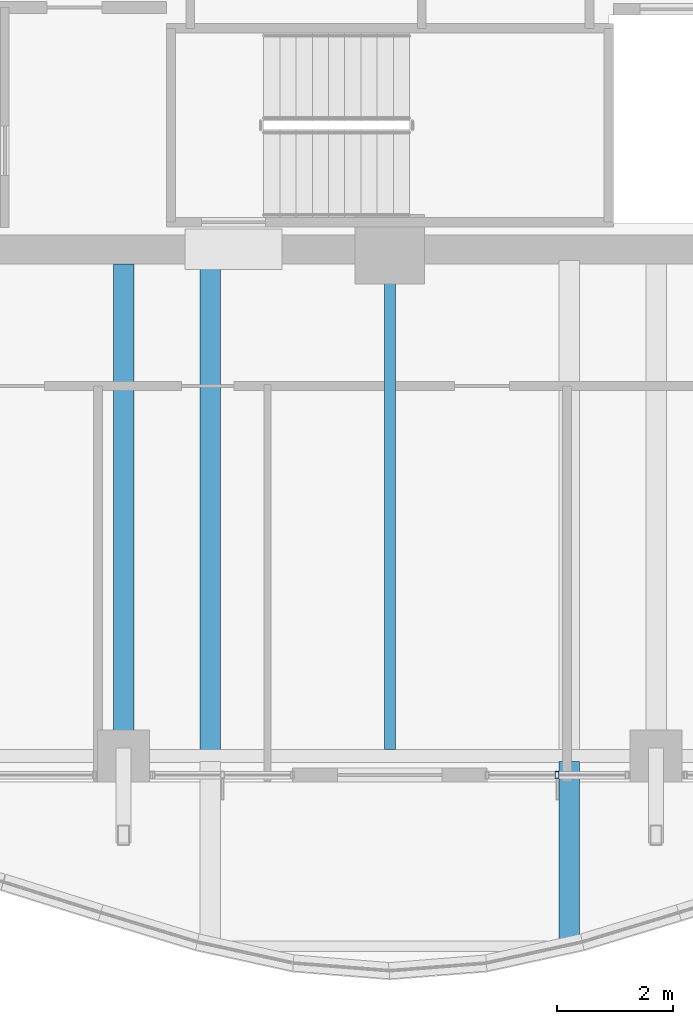
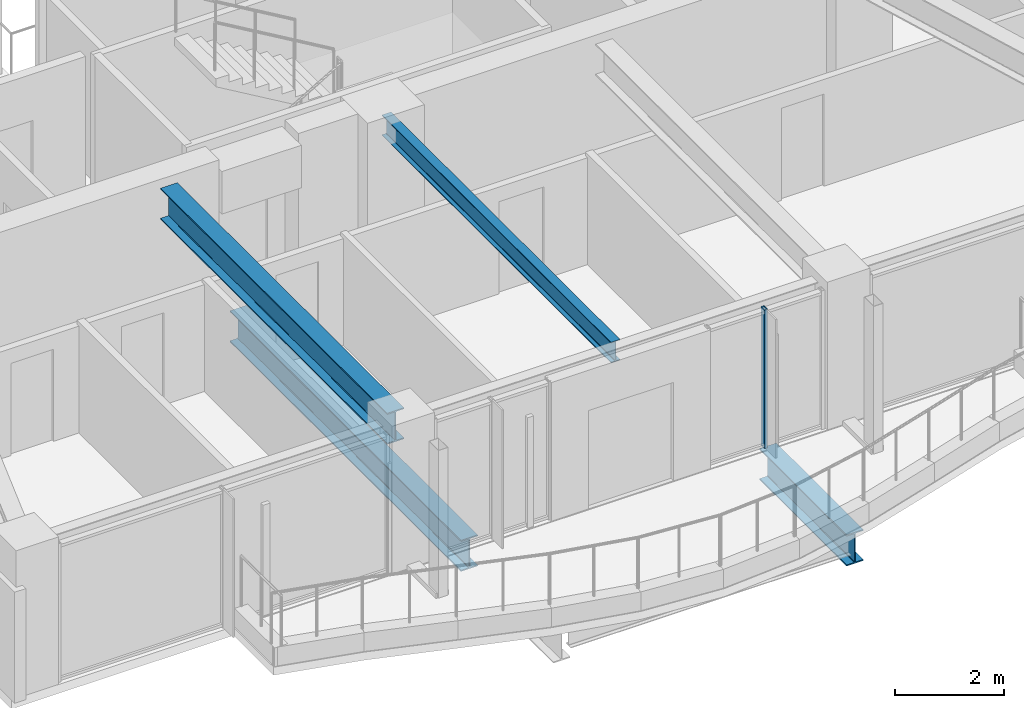
# One storey, part 5 of 34: 4 beams, 1 member, 1 element without a shape of its own.
"""IFC4 building model written with IfcOpenShell, lengths in metres."""

import ifcopenshell
import ifcopenshell.guid

model = None  # the IFC model being written
_history = None  # IfcOwnerHistory: only IFC2X3 demands one
_inside = {}  # id of a spatial element -> (the spatial element, [elements in it])
_under = {}  # id of a project, library or spatial element -> (it, [spatial elements below it])
_declared = {}  # id of a project -> (the project, [libraries it declares])
_typed = {}  # id of a type object -> (the type object, [elements of that type])
_made_of = {}  # id of a material, layer set ... -> (it, [elements and type objects made of it])


def new_model(schema):
    """Start an empty IFC model of exactly this schema.

    Asked for "IFC4X3", IfcOpenShell would pick the latest addendum, in which some entities
    have other attributes; the version numbers below select the first issue.
    IFC2X3 requires an IfcOwnerHistory on every rooted entity: one is made here for all.
    """
    global model, _history
    if schema == "IFC4X3":
        model = ifcopenshell.file(schema_version=(4, 3, 0, 0))
    else:
        model = ifcopenshell.file(schema=schema)
    _inside.clear()
    _under.clear()
    _declared.clear()
    _typed.clear()
    _made_of.clear()
    _history = None
    if model.schema == "IFC2X3":
        org = make("IfcOrganization", Name="unknown")
        user = make(
            "IfcPersonAndOrganization",
            ThePerson=make("IfcPerson", FamilyName="unknown"),
            TheOrganization=org,
        )
        app = make(
            "IfcApplication",
            ApplicationDeveloper=org,
            Version="unknown",
            ApplicationFullName="unknown",
            ApplicationIdentifier="unknown",
        )
        _history = make(
            "IfcOwnerHistory",
            OwningUser=user,
            OwningApplication=app,
            ChangeAction="ADDED",
            CreationDate=0,
        )
    return model


def make(cls, **values):
    """One entity of the class cls with the attributes given. An attribute that is None is left unset."""
    return model.create_entity(
        cls, **{name: value for name, value in values.items() if value is not None}
    )


def rooted(cls, **values):
    """An entity with a GlobalId (a new one), such as an element, a storey or a relation."""
    return make(cls, GlobalId=ifcopenshell.guid.new(), OwnerHistory=_history, **values)


def si_unit(unit_type, name, prefix=None):
    """IfcSIUnit, for example si_unit("LENGTHUNIT", "METRE", prefix="MILLI")."""
    return make("IfcSIUnit", UnitType=unit_type, Prefix=prefix, Name=name)


def assignment(units):
    """IfcUnitAssignment: the units of a project."""
    return None if units is None else make("IfcUnitAssignment", Units=units)


def point(xyz):
    """IfcCartesianPoint."""
    return None if xyz is None else make("IfcCartesianPoint", Coordinates=xyz)


def direction(xyz):
    """IfcDirection."""
    return None if xyz is None else make("IfcDirection", DirectionRatios=xyz)


def frame(location, z_axis=None, x_axis=None):
    """IfcAxis2Placement3D, a coordinate frame: its origin and axes. An axis left out is left unset."""
    return make(
        "IfcAxis2Placement3D",
        Location=point(location),
        Axis=direction(z_axis),
        RefDirection=direction(x_axis),
    )


def frame_2d(location, x_axis=None):
    """IfcAxis2Placement2D, a coordinate frame in the plane: its origin and x axis."""
    return make(
        "IfcAxis2Placement2D", Location=point(location), RefDirection=direction(x_axis)
    )


def origin():
    """The frame at (0, 0, 0) with its axes left unset."""
    return frame((0.0, 0.0, 0.0))


def origin_2d():
    """The frame at (0, 0) in the plane with its x axis left unset."""
    return frame_2d((0.0, 0.0))


def place(relative_to, where):
    """IfcLocalPlacement: puts the frame where relative to a parent placement (None: the world)."""
    return make(
        "IfcLocalPlacement", PlacementRelTo=relative_to, RelativePlacement=where
    )


def context(
    kind, dimensions, precision=None, world=None, true_north=None, identifier=None
):
    """IfcGeometricRepresentationContext, for example the 3D "Model" context."""
    return make(
        "IfcGeometricRepresentationContext",
        ContextIdentifier=identifier,
        ContextType=kind,
        CoordinateSpaceDimension=dimensions,
        Precision=precision,
        WorldCoordinateSystem=world,
        TrueNorth=true_north,
    )


def subcontext(parent, identifier, kind, view, scale=None):
    """IfcGeometricRepresentationSubContext, for example "Body" below "Model"."""
    return make(
        "IfcGeometricRepresentationSubContext",
        ContextIdentifier=identifier,
        ContextType=kind,
        ParentContext=parent,
        TargetScale=scale,
        TargetView=view,
    )


def project(units=None, contexts=None):
    """IfcProject with its units and contexts."""
    return rooted(
        "IfcProject",
        Name="project",
        RepresentationContexts=contexts,
        UnitsInContext=assignment(units),
    )


def spatial(cls, under=None, at=None, **own):
    """A site, building, storey or space (cls), placed at a placement, below another one or the project."""
    s = rooted(cls, ObjectPlacement=at, **own)
    if under is not None:
        _under.setdefault(under.id(), (under, []))[1].append(s)
    return s


def profile(cls, at=None, kind="AREA", **sizes):
    """A parametric profile (cls). Its sizes go by their IFC names, for example OverallWidth=200.0."""
    return make(cls, ProfileType=kind, Position=at, **sizes)


def hollow_rectangle(**sizes):
    """IfcRectangleHollowProfileDef."""
    return profile("IfcRectangleHollowProfileDef", **sizes)


def i_section(**sizes):
    """IfcIShapeProfileDef."""
    return profile("IfcIShapeProfileDef", **sizes)


def extrude(swept, where, along, depth):
    """IfcExtrudedAreaSolid: the profile swept, set in the frame where, extruded along a direction by depth."""
    return make(
        "IfcExtrudedAreaSolid",
        SweptArea=swept,
        Position=where,
        ExtrudedDirection=direction(along),
        Depth=depth,
    )


def shape(context_of_items, identifier, shape_type, items):
    """IfcShapeRepresentation: the items that make up one representation, for example the "Body"."""
    return make(
        "IfcShapeRepresentation",
        ContextOfItems=context_of_items,
        RepresentationIdentifier=identifier,
        RepresentationType=shape_type,
        Items=items,
    )


def material(Name=None, Category=None):
    """IfcMaterial."""
    return make("IfcMaterial", Name=Name, Category=Category)


def material_profile(
    of_material, cross_section, Name=None, Category=None, Priority=None
):
    """IfcMaterialProfile: a cross section and its material."""
    return make(
        "IfcMaterialProfile",
        Name=Name,
        Material=of_material,
        Profile=cross_section,
        Priority=Priority,
        Category=Category,
    )


def profile_set(profiles, Name=None, composite=None):
    """IfcMaterialProfileSet."""
    return make(
        "IfcMaterialProfileSet",
        Name=Name,
        MaterialProfiles=profiles,
        CompositeProfile=composite,
    )


def made_of(thing, what):
    """Note that an element or type object is made of a material, layer set ...; save() writes the relation."""
    if what is not None:
        _made_of.setdefault(what.id(), (what, []))[1].append(thing)
    return thing


def type_object(cls, material=None, **own):
    """A type object (cls), such as IfcWallType, which elements share."""
    return made_of(rooted(cls, **own), material)


def element(
    cls,
    number,
    at=None,
    inside=None,
    cuts=None,
    type_object=None,
    material=None,
    context=None,
    identifier="Body",
    shape_type=None,
    held_by="IfcProductDefinitionShape",
    body=None,
    shapes=None,
    **own,
):
    """One element of the class cls, such as IfcWall. Its Tag is "e" and its number.

    at: its placement. inside: the storey or other place that contains it. cuts: it is an
    opening in that element (IfcRelVoidsElement). A single representation is given by context,
    identifier, shape_type and body (its items); several are given by shapes. held_by: the class
    of the entity that holds the representations. save() writes the other relations.
    """
    e = rooted(cls, Tag="e%d" % number, ObjectPlacement=at, **own)
    if body is not None:
        shapes = [shape(context, identifier, shape_type, body)]
    if shapes is not None:
        e.Representation = make(held_by, Representations=shapes)
    if inside is not None:
        _inside.setdefault(inside.id(), (inside, []))[1].append(e)
    if cuts is not None:
        rooted(
            "IfcRelVoidsElement", RelatingBuildingElement=cuts, RelatedOpeningElement=e
        )
    if type_object is not None:
        _typed.setdefault(type_object.id(), (type_object, []))[1].append(e)
    return made_of(e, material)


def aggregate(whole, parts):
    """IfcRelAggregates: a whole, such as a stair, and the parts it consists of."""
    return rooted("IfcRelAggregates", RelatingObject=whole, RelatedObjects=parts)


def save(model, path):
    """Write the relations noted so far, then the file.

    IfcRelAggregates (storeys below a building ...), IfcRelContainedInSpatialStructure (elements
    in a storey), IfcRelDefinesByType, IfcRelAssociatesMaterial and IfcRelDeclares: one each for
    every whole, place, type object, material and project.
    """
    for whole, parts in _under.values():
        aggregate(whole, parts)
    for where, things in _inside.values():
        rooted(
            "IfcRelContainedInSpatialStructure",
            RelatedElements=things,
            RelatingStructure=where,
        )
    for kind, things in _typed.values():
        rooted("IfcRelDefinesByType", RelatedObjects=things, RelatingType=kind)
    for what, things in _made_of.values():
        rooted("IfcRelAssociatesMaterial", RelatedObjects=things, RelatingMaterial=what)
    for by, libraries in _declared.values():
        rooted("IfcRelDeclares", RelatingContext=by, RelatedDefinitions=libraries)
    model.write(path)


model = new_model("IFC4")

# Units and contexts
model_context = context("Model", 3, precision=1e-05, world=origin(), true_north=direction((0.0, 1.0)))
body_context = subcontext(model_context, "Body", "Model", "MODEL_VIEW")
ifc_project = project(units=[si_unit("LENGTHUNIT", "METRE"), si_unit("AREAUNIT", "SQUARE_METRE"), si_unit("VOLUMEUNIT", "CUBIC_METRE"), si_unit("PLANEANGLEUNIT", "RADIAN"), si_unit("MASSUNIT", "GRAM", prefix="KILO")], contexts=[model_context])

# Site, building, storey
site_placement = place(None, origin())
site = spatial("IfcSite", under=ifc_project, at=site_placement, CompositionType="ELEMENT")
building_placement = place(site_placement, origin())
building = spatial("IfcBuilding", under=site, at=building_placement, Name="Kolvaren Belvedere", CompositionType="ELEMENT")
storey_placement = place(building_placement, frame((0.0, 0.0, 166.800048828125)))
storey = spatial("IfcBuildingStorey", under=building, at=storey_placement, Name="L48", CompositionType="ELEMENT", Elevation=166.800048828125)

# Beams
ifc_material_1 = material(Name="Structural steel ASTM A992 Grade 50", Category="steel")
ifc_material_profile_1 = material_profile(ifc_material_1, i_section(OverallWidth=0.35498046875, OverallDepth=0.696044921875, WebThickness=0.015380859375, FlangeThickness=0.02490234375, FilletRadius=0.02197265625, at=origin_2d()), Name="W27X146")
ifc_profile_set_1 = profile_set([ifc_material_profile_1], Name="Structural steel ASTM A992 Grade 50")
beam_type_1 = type_object("IfcBeamType", Name="BM-CANT-BAL", PredefinedType="BEAM", material=ifc_profile_set_1)
beam_1_placement = place(storey_placement, frame((3.10009765625, -18.7451171875, -0.548095703125), z_axis=(0.0, -1.0, 0.0), x_axis=(1.0, 0.0, 0.0)))
element("IfcBeam", 1, at=beam_1_placement, inside=storey, type_object=beam_type_1, Name="L48 Planted Balcony Cantilever BAL-S-2", PredefinedType="BEAM", context=body_context, shape_type="SweptSolid", body=[
    extrude(i_section(OverallWidth=0.35498046875, OverallDepth=0.696044921875, WebThickness=0.015380859375, FlangeThickness=0.02490234375, FilletRadius=0.02197265625, at=origin_2d()), origin(), (0.0, 0.0, 1.0), 3.1904296875),
])
ifc_material_2 = material(Name="Structural steel ASTM A992 Grade 50", Category="steel")
ifc_material_profile_2 = material_profile(ifc_material_2, i_section(OverallWidth=0.35498046875, OverallDepth=0.696044921875, WebThickness=0.015380859375, FlangeThickness=0.02490234375, FilletRadius=0.02197265625, at=origin_2d()), Name="W27X146")
ifc_profile_set_2 = profile_set([ifc_material_profile_2], Name="Structural steel ASTM A992 Grade 50")
beam_type_2 = type_object("IfcBeamType", Name="BM-GIRD-W27X146", PredefinedType="BEAM", material=ifc_profile_set_2)
beam_2_placement = place(storey_placement, frame((-3.10009765625, -10.090087890625, -0.548095703125), z_axis=(0.0, -1.0, 0.0), x_axis=(1.0, 0.0, 0.0)))
element("IfcBeam", 2, at=beam_2_placement, inside=storey, type_object=beam_type_2, Name="L48 Balcony Interior Back-Span Girder BAL-S-1", PredefinedType="BEAM", context=body_context, shape_type="SweptSolid", body=[
    extrude(i_section(OverallWidth=0.35498046875, OverallDepth=0.696044921875, WebThickness=0.015380859375, FlangeThickness=0.02490234375, FilletRadius=0.02197265625, at=origin_2d()), origin(), (0.0, 0.0, 1.0), 8.46484375),
])
beam_3_placement = place(storey_placement, frame((-4.60009765625, -10.14990234375, 2.751953125), z_axis=(0.0, -1.0, 0.0), x_axis=(1.0, 0.0, 0.0)))
element("IfcBeam", 3, at=beam_3_placement, inside=storey, type_object=beam_type_2, Name="L48 South Radial Girder M", PredefinedType="BEAM", context=body_context, shape_type="SweptSolid", body=[
    extrude(i_section(OverallWidth=0.35498046875, OverallDepth=0.696044921875, WebThickness=0.015380859375, FlangeThickness=0.02490234375, FilletRadius=0.02197265625, at=origin_2d()), origin(), (0.0, 0.0, 1.0), 8.297607421875),
])
ifc_material_3 = material(Name="Structural steel ASTM A992 Grade 50", Category="steel")
ifc_material_profile_3 = material_profile(ifc_material_3, i_section(OverallWidth=0.19091796875, OverallDepth=0.4599609375, WebThickness=0.010009765625, FlangeThickness=0.01611328125, FilletRadius=0.014892578125, at=origin_2d()), Name="W18X55")
ifc_profile_set_3 = profile_set([ifc_material_profile_3], Name="Structural steel ASTM A992 Grade 50")
beam_type_3 = type_object("IfcBeamType", Name="BM-JOIST-W18X55", PredefinedType="BEAM", material=ifc_profile_set_3)
beam_4_placement = place(storey_placement, frame((0.0, -10.14990234375, 2.869873046875), z_axis=(0.0, -1.0, 0.0), x_axis=(1.0, 0.0, 0.0)))
element("IfcBeam", 4, at=beam_4_placement, inside=storey, type_object=beam_type_3, Name="L48 South Centre Floor Beam", PredefinedType="BEAM", context=body_context, shape_type="SweptSolid", body=[
    extrude(i_section(OverallWidth=0.19091796875, OverallDepth=0.4599609375, WebThickness=0.010009765625, FlangeThickness=0.01611328125, FilletRadius=0.014892578125, at=origin_2d()), origin(), (0.0, 0.0, 1.0), 8.385498046875),
])

# Curtain wall, member
ifc_material_4 = material(Name="Anodised pale-metal aluminium AA 6063-T6", Category="aluminium")
curtain_wall_type = type_object("IfcCurtainWallType", Name="CW-Z3-WAIST", PredefinedType="NOTDEFINED", material=ifc_material_4)
curtain_wall_placement = place(storey_placement, origin())
curtain_wall = element("IfcCurtainWall", 5, at=curtain_wall_placement, inside=storey, type_object=curtain_wall_type, Name="L48 Unitised Curtain Wall FCW-L48-S1-B2", PredefinedType="NOTDEFINED")
ifc_material_5 = material(Name="Anodised pale-metal aluminium AA 6063-T6", Category="aluminium")
ifc_material_profile_4 = material_profile(ifc_material_5, hollow_rectangle(XDim=0.06494140625, YDim=0.1298828125, WallThickness=0.00390625, at=origin_2d()), Name="ALU-MUL-130X65")
ifc_profile_set_4 = profile_set([ifc_material_profile_4], Name="Anodised pale-metal aluminium AA 6063-T6")
member_type = type_object("IfcMemberType", Name="CW-MUL-130", PredefinedType="MULLION", material=ifc_profile_set_4)
member_placement = place(storey_placement, frame((2.888671875, -18.97998046875, 0.0), z_axis=(0.0, 0.0, 1.0), x_axis=(1.0, 0.0, 0.0)))
member = element("IfcMember", 6, at=member_placement, type_object=member_type, Name="FCW-L48-S1-B2 Unitised Mullion 2", PredefinedType="MULLION", context=body_context, shape_type="SweptSolid", body=[
    extrude(hollow_rectangle(XDim=0.06494140625, YDim=0.1298828125, WallThickness=0.00390625, at=origin_2d()), origin(), (0.0, 0.0, 1.0), 3.099853515625),
])
aggregate(curtain_wall, [member])

save(model, "model.ifc")
